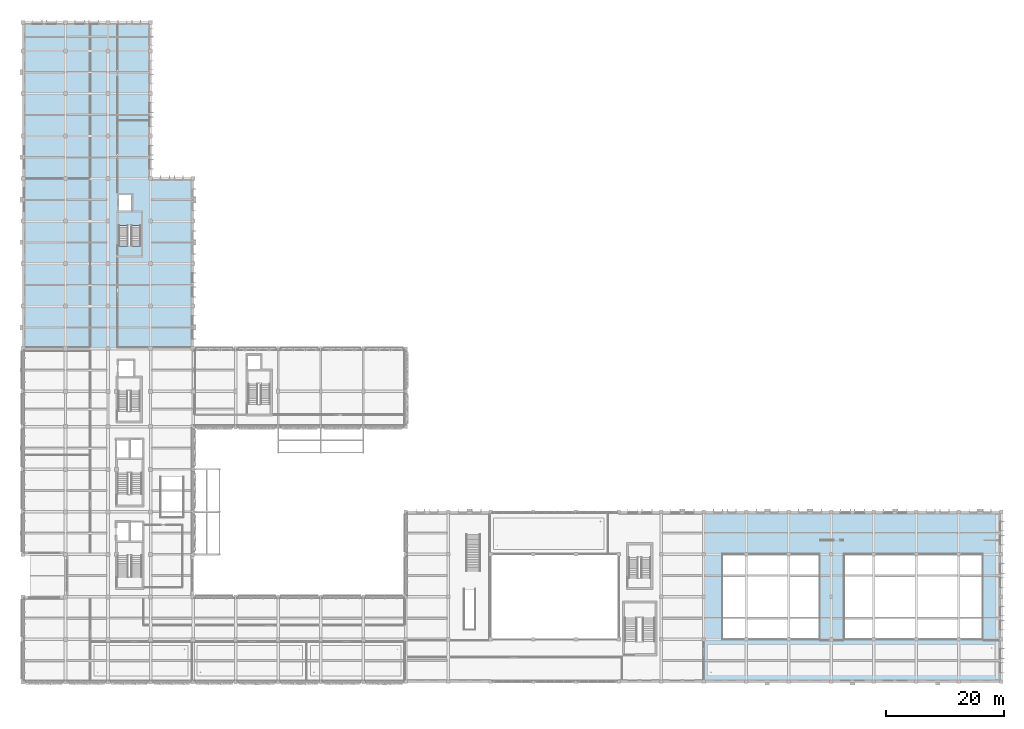
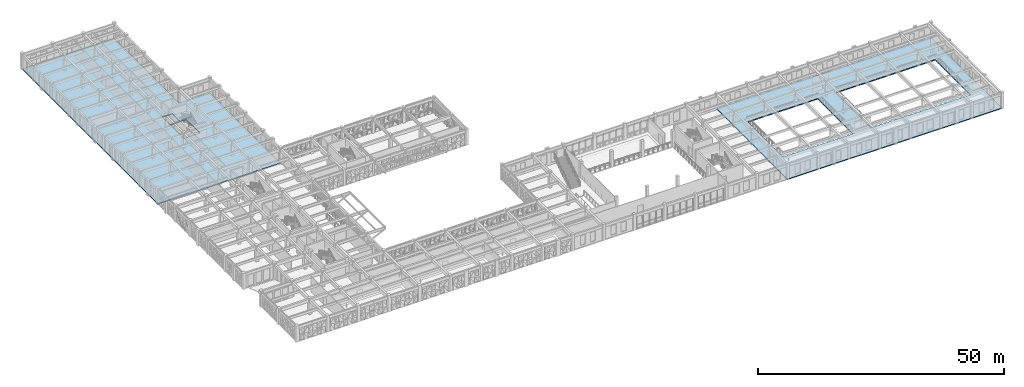
# One storey, part 38 of 88: 3 slabs, 1 element without a shape of its own.
"""IFC4 building model written with IfcOpenShell, lengths in metres."""

from ifc_helpers import new_model, si_unit, direction, frame, origin, place, context, subcontext, project, spatial, polyline, outline, extrude, material, layer, layer_set, type_object, element, aggregate, save


model = new_model("IFC4")

# Units and contexts
model_context = context("Model", 3, precision=1e-05, world=origin(), true_north=direction((0.0, 1.0)))
body_context = subcontext(model_context, "Body", "Model", "MODEL_VIEW")
ifc_project = project(units=[si_unit("LENGTHUNIT", "METRE"), si_unit("AREAUNIT", "SQUARE_METRE"), si_unit("VOLUMEUNIT", "CUBIC_METRE"), si_unit("PLANEANGLEUNIT", "RADIAN"), si_unit("MASSUNIT", "GRAM", prefix="KILO")], contexts=[model_context])

# Site, building, storey
site_placement = place(None, origin())
site = spatial("IfcSite", under=ifc_project, at=site_placement, CompositionType="ELEMENT")
building_placement = place(site_placement, origin())
building = spatial("IfcBuilding", under=site, at=building_placement, Name="Alvorim Cloister Faculty of Sciences", CompositionType="ELEMENT")
storey_placement = place(building_placement, frame((0.0, 0.0, 4.5)))
storey = spatial("IfcBuildingStorey", under=building, at=storey_placement, Name="L01", CompositionType="ELEMENT", Elevation=4.5)

# Stair, slab
ifc_material = material(Name="Concrete C40", Category="concrete")
stair_type = type_object("IfcStairType", Name="STR-ST-05-1600x4050", PredefinedType="HALF_TURN_STAIR", material=ifc_material)
stair_placement = place(storey_placement, origin())
stair = element("IfcStair", 1, at=stair_placement, inside=storey, type_object=stair_type, Name="L01 Enclosed Smoke-Proof Stair ST-05", PredefinedType="HALF_TURN_STAIR")
ifc_layer_1 = layer(ifc_material, 0.199951171875)
ifc_layer_set_1 = layer_set([ifc_layer_1], Name="Concrete C40")
slab_type_1 = type_object("IfcSlabType", Name="SL-LAND-200", PredefinedType="LANDING", material=ifc_layer_set_1)
slab_1_placement = place(storey_placement, frame((0.0, 0.0, 1.824951171875)))
slab_1 = element("IfcSlab", 2, at=slab_1_placement, type_object=slab_type_1, Name="ST-05 landing 1", PredefinedType="LANDING", context=body_context, shape_type="SweptSolid", body=[
    extrude(outline(polyline([(20.0400390625, 77.264892578125), (20.0400390625, 79.52001953125), (16.080078125, 79.52001953125), (16.080078125, 77.264892578125), (20.0400390625, 77.264892578125)])), origin(), (0.0, 0.0, 1.0), 0.199951171875),
])
aggregate(stair, [slab_1])

# Slabs
ifc_layer_2 = layer(ifc_material, 0.25)
ifc_layer_set_2 = layer_set([ifc_layer_2], Name="Concrete C40")
slab_type_2 = type_object("IfcSlabType", Name="SL-RC-250", PredefinedType="FLOOR", material=ifc_layer_set_2)
slab_2_placement = place(storey_placement, frame((0.0, 0.0, -0.25)))
element("IfcSlab", 3, at=slab_2_placement, inside=storey, type_object=slab_type_2, Name="L01 V1 Structural Slab 16", PredefinedType="FLOOR", context=body_context, shape_type="SweptSolid", body=[
    extrude(outline(polyline([(115.205078125, 0.0048828125), (115.205078125, 28.794921875), (165.594970703125, 28.794921875), (165.594970703125, 0.0048828125), (115.205078125, 0.0048828125)]), holes=[polyline([(134.800048828125, 7.199951171875), (134.800048828125, 21.60009765625), (118.39990234375, 21.60009765625), (118.39990234375, 7.199951171875), (134.800048828125, 7.199951171875)]), polyline([(162.39990234375, 21.60009765625), (139.0, 21.60009765625), (139.0, 7.199951171875), (162.39990234375, 7.199951171875), (162.39990234375, 21.60009765625)])]), origin(), (0.0, 0.0, 1.0), 0.25),
])
slab_3_placement = place(storey_placement, frame((0.0, 0.0, -0.25)))
element("IfcSlab", 4, at=slab_3_placement, inside=storey, type_object=slab_type_2, Name="L01 V2 Structural Slab 17", PredefinedType="FLOOR", context=body_context, shape_type="SweptSolid", body=[
    extrude(outline(polyline([(28.794921875, 56.405029296875), (0.0048828125, 56.405029296875), (0.0048828125, 111.594970703125), (21.594970703125, 111.594970703125), (21.594970703125, 85.195068359375), (28.794921875, 85.195068359375), (28.794921875, 56.405029296875)]), holes=[polyline([(19.919921875, 73.830078125), (19.919921875, 79.39990234375), (16.199951171875, 79.39990234375), (16.199951171875, 73.830078125), (19.919921875, 73.830078125)]), polyline([(18.5, 82.60009765625), (16.10009765625, 82.60009765625), (16.10009765625, 79.60009765625), (18.5, 79.60009765625), (18.5, 82.60009765625)])]), origin(), (0.0, 0.0, 1.0), 0.25),
])

save(model, "model.ifc")
